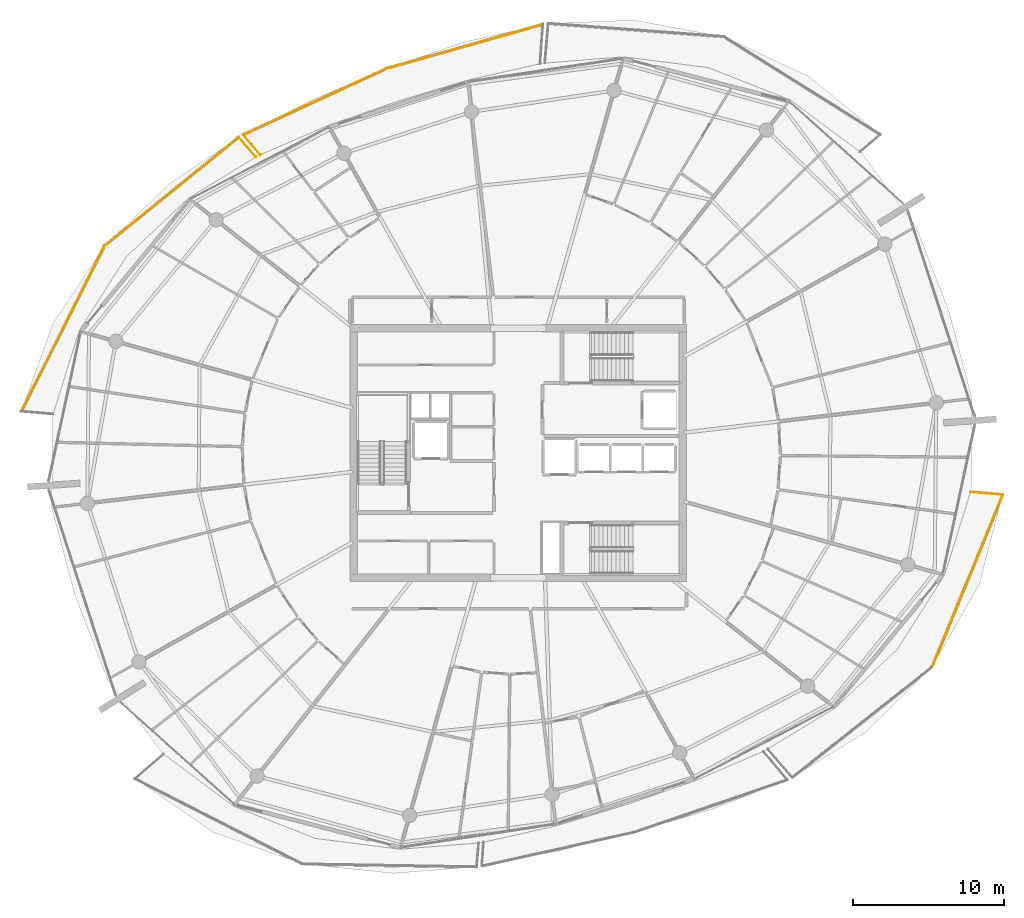
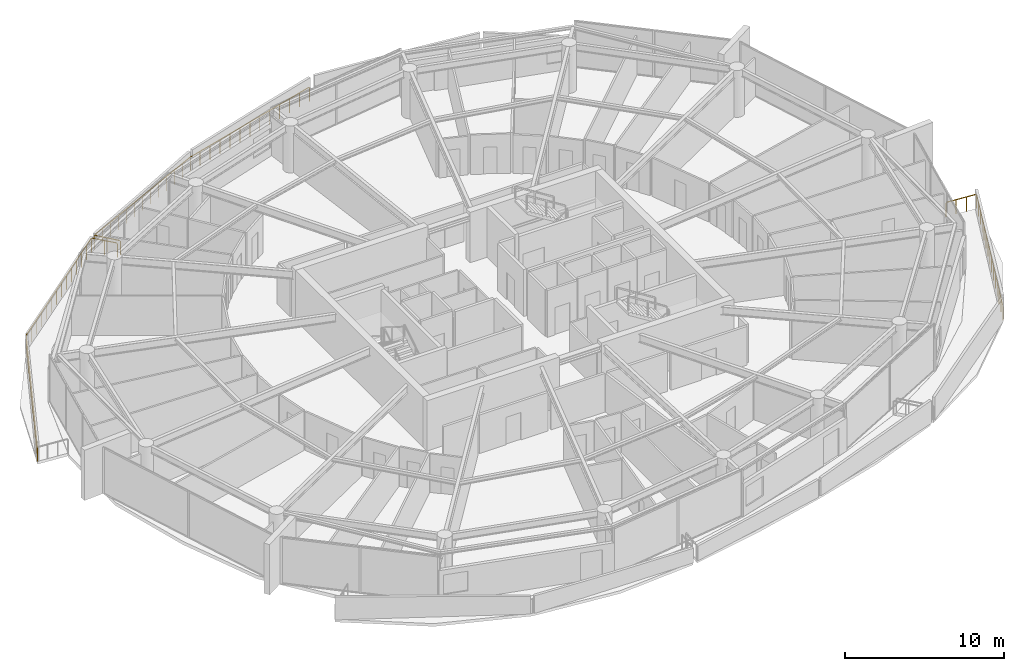
# One storey, part 27 of 29: 8 railings.
"""IFC4 building model written with IfcOpenShell, lengths in metres."""

from ifc_helpers import new_model, si_unit, direction, frame, origin, origin_2d, place, context, subcontext, project, spatial, rectangle, extrude, material, type_object, element, save


model = new_model("IFC4")

# Units and contexts
model_context = context("Model", 3, precision=1e-05, world=origin(), true_north=direction((0.0, 1.0)))
body_context = subcontext(model_context, "Body", "Model", "MODEL_VIEW")
ifc_project = project(units=[si_unit("LENGTHUNIT", "METRE"), si_unit("AREAUNIT", "SQUARE_METRE"), si_unit("VOLUMEUNIT", "CUBIC_METRE"), si_unit("PLANEANGLEUNIT", "RADIAN"), si_unit("MASSUNIT", "GRAM", prefix="KILO")], contexts=[model_context])

# Site, building, storey
site_placement = place(None, origin())
site = spatial("IfcSite", under=ifc_project, at=site_placement, CompositionType="ELEMENT")
building_placement = place(site_placement, origin())
building = spatial("IfcBuilding", under=site, at=building_placement, Name="Kazma Halo Residences", CompositionType="ELEMENT")
storey_placement = place(building_placement, frame((0.0, 0.0, 282.89990234375)))
storey = spatial("IfcBuildingStorey", under=building, at=storey_placement, Name="L71", CompositionType="ELEMENT", Elevation=282.89990234375)

# Railings
ifc_material = material(Name="Aluminium AW-6063 T6 Brushed Cap Rail", Category="aluminium")
railing_type = type_object("IfcRailingType", Name="RLG-BAL-CAP-1120", PredefinedType="BALUSTRADE", material=ifc_material)
railing_1_placement = place(storey_placement, frame((50.05810546875, 70.364501953125, 0.0)))
element("IfcRailing", 1, at=railing_1_placement, inside=storey, type_object=railing_type, Name="L71 NNW wave balcony guard 2", PredefinedType="BALUSTRADE", context=body_context, shape_type="SweptSolid", body=[
    extrude(rectangle(XDim=0.050048828125, YDim=0.050048828125, at=origin_2d()), frame((-0.041015625, -0.011474609375, 1.09521484375), z_axis=(-0.962459277596, -0.271426120647, 0.0), x_axis=(0.271426120647, -0.962459277596, 0.0)), (0.0, 0.0, 1.0), 10.645751953125),
    extrude(rectangle(XDim=0.0400390625, YDim=0.0400390625, at=origin_2d()), origin(), (0.0, 0.0, 1.0), 1.05810546875),
    extrude(rectangle(XDim=0.0400390625, YDim=0.0400390625, at=origin_2d()), frame((-0.860595703125, -0.24267578125, 0.0)), (0.0, 0.0, 1.0), 1.05810546875),
    extrude(rectangle(XDim=0.0400390625, YDim=0.0400390625, at=origin_2d()), frame((-1.72119140625, -0.4853515625, 0.0)), (0.0, 0.0, 1.0), 1.05810546875),
    extrude(rectangle(XDim=0.0400390625, YDim=0.0400390625, at=origin_2d()), frame((-2.58203125, -0.72802734375, 0.0)), (0.0, 0.0, 1.0), 1.05810546875),
    extrude(rectangle(XDim=0.0400390625, YDim=0.0400390625, at=origin_2d()), frame((-3.442626953125, -0.970947265625, 0.0)), (0.0, 0.0, 1.0), 1.05810546875),
    extrude(rectangle(XDim=0.0400390625, YDim=0.0400390625, at=origin_2d()), frame((-4.30322265625, -1.213623046875, 0.0)), (0.0, 0.0, 1.0), 1.05810546875),
    extrude(rectangle(XDim=0.0400390625, YDim=0.0400390625, at=origin_2d()), frame((-5.1640625, -1.456298828125, 0.0)), (0.0, 0.0, 1.0), 1.05810546875),
    extrude(rectangle(XDim=0.0400390625, YDim=0.0400390625, at=origin_2d()), frame((-6.024658203125, -1.698974609375, 0.0)), (0.0, 0.0, 1.0), 1.05810546875),
    extrude(rectangle(XDim=0.0400390625, YDim=0.0400390625, at=origin_2d()), frame((-6.88525390625, -1.941650390625, 0.0)), (0.0, 0.0, 1.0), 1.05810546875),
    extrude(rectangle(XDim=0.0400390625, YDim=0.0400390625, at=origin_2d()), frame((-7.745849609375, -2.1845703125, 0.0)), (0.0, 0.0, 1.0), 1.05810546875),
    extrude(rectangle(XDim=0.0400390625, YDim=0.0400390625, at=origin_2d()), frame((-8.6064453125, -2.42724609375, 0.0)), (0.0, 0.0, 1.0), 1.05810546875),
    extrude(rectangle(XDim=0.0400390625, YDim=0.0400390625, at=origin_2d()), frame((-9.46728515625, -2.669921875, 0.0)), (0.0, 0.0, 1.0), 1.05810546875),
    extrude(rectangle(XDim=0.0400390625, YDim=0.0400390625, at=origin_2d()), frame((-10.327880859375, -2.91259765625, 0.0)), (0.0, 0.0, 1.0), 1.05810546875),
])
railing_2_placement = place(storey_placement, frame((39.730224609375, 67.451904296875, 0.0)))
element("IfcRailing", 2, at=railing_2_placement, inside=storey, type_object=railing_type, Name="L71 NNW wave balcony guard 3", PredefinedType="BALUSTRADE", context=body_context, shape_type="SweptSolid", body=[
    extrude(rectangle(XDim=0.050048828125, YDim=0.050048828125, at=origin_2d()), frame((-0.03857421875, -0.017822265625, 1.09521484375), z_axis=(-0.907848041768, -0.419299335867, 0.0), x_axis=(0.419299335867, -0.907848041768, 0.0)), (0.0, 0.0, 1.0), 10.378662109375),
    extrude(rectangle(XDim=0.0400390625, YDim=0.0400390625, at=origin_2d()), origin(), (0.0, 0.0, 1.0), 1.05810546875),
    extrude(rectangle(XDim=0.0400390625, YDim=0.0400390625, at=origin_2d()), frame((-0.79150390625, -0.36572265625, 0.0)), (0.0, 0.0, 1.0), 1.05810546875),
    extrude(rectangle(XDim=0.0400390625, YDim=0.0400390625, at=origin_2d()), frame((-1.583251953125, -0.731201171875, 0.0)), (0.0, 0.0, 1.0), 1.05810546875),
    extrude(rectangle(XDim=0.0400390625, YDim=0.0400390625, at=origin_2d()), frame((-2.375, -1.096923828125, 0.0)), (0.0, 0.0, 1.0), 1.05810546875),
    extrude(rectangle(XDim=0.0400390625, YDim=0.0400390625, at=origin_2d()), frame((-3.16650390625, -1.46240234375, 0.0)), (0.0, 0.0, 1.0), 1.05810546875),
    extrude(rectangle(XDim=0.0400390625, YDim=0.0400390625, at=origin_2d()), frame((-3.9580078125, -1.828125, 0.0)), (0.0, 0.0, 1.0), 1.05810546875),
    extrude(rectangle(XDim=0.0400390625, YDim=0.0400390625, at=origin_2d()), frame((-4.749755859375, -2.19384765625, 0.0)), (0.0, 0.0, 1.0), 1.05810546875),
    extrude(rectangle(XDim=0.0400390625, YDim=0.0400390625, at=origin_2d()), frame((-5.54150390625, -2.559326171875, 0.0)), (0.0, 0.0, 1.0), 1.05810546875),
    extrude(rectangle(XDim=0.0400390625, YDim=0.0400390625, at=origin_2d()), frame((-6.3330078125, -2.925048828125, 0.0)), (0.0, 0.0, 1.0), 1.05810546875),
    extrude(rectangle(XDim=0.0400390625, YDim=0.0400390625, at=origin_2d()), frame((-7.12451171875, -3.29052734375, 0.0)), (0.0, 0.0, 1.0), 1.05810546875),
    extrude(rectangle(XDim=0.0400390625, YDim=0.0400390625, at=origin_2d()), frame((-7.916259765625, -3.65625, 0.0)), (0.0, 0.0, 1.0), 1.05810546875),
    extrude(rectangle(XDim=0.0400390625, YDim=0.0400390625, at=origin_2d()), frame((-8.7080078125, -4.021728515625, 0.0)), (0.0, 0.0, 1.0), 1.05810546875),
    extrude(rectangle(XDim=0.0400390625, YDim=0.0400390625, at=origin_2d()), frame((-9.49951171875, -4.387451171875, 0.0)), (0.0, 0.0, 1.0), 1.05810546875),
])
railing_3_placement = place(storey_placement, frame((30.230712890625, 63.064453125, 0.0)))
element("IfcRailing", 3, at=railing_3_placement, inside=storey, type_object=railing_type, Name="L71 NNW wave balcony guard 4", PredefinedType="BALUSTRADE", context=body_context, shape_type="SweptSolid", body=[
    extrude(rectangle(XDim=0.050048828125, YDim=0.050048828125, at=origin_2d()), frame((0.02734375, -0.032470703125, 1.09521484375), z_axis=(0.644812173363, -0.764341063324, 0.0), x_axis=(0.764341063324, 0.644812173363, 0.0)), (0.0, 0.0, 1.0), 1.6591796875),
    extrude(rectangle(XDim=0.0400390625, YDim=0.0400390625, at=origin_2d()), origin(), (0.0, 0.0, 1.0), 1.05810546875),
    extrude(rectangle(XDim=0.0400390625, YDim=0.0400390625, at=origin_2d()), frame((0.5625, -0.66650390625, 0.0)), (0.0, 0.0, 1.0), 1.05810546875),
    extrude(rectangle(XDim=0.0400390625, YDim=0.0400390625, at=origin_2d()), frame((1.124755859375, -1.333251953125, 0.0)), (0.0, 0.0, 1.0), 1.05810546875),
])
railing_4_placement = place(storey_placement, frame((31.06787109375, 61.58154296875, 0.0)))
element("IfcRailing", 4, at=railing_4_placement, inside=storey, type_object=railing_type, Name="L71 NW wave balcony guard 1", PredefinedType="BALUSTRADE", context=body_context, shape_type="SweptSolid", body=[
    extrude(rectangle(XDim=0.050048828125, YDim=0.050048828125, at=origin_2d()), frame((-0.02783203125, 0.0322265625, 1.09521484375), z_axis=(-0.654051886651, 0.7564496874, 0.0), x_axis=(-0.7564496874, -0.654051886651, 0.0)), (0.0, 0.0, 1.0), 1.650634765625),
    extrude(rectangle(XDim=0.0400390625, YDim=0.0400390625, at=origin_2d()), origin(), (0.0, 0.0, 1.0), 1.05810546875),
    extrude(rectangle(XDim=0.0400390625, YDim=0.0400390625, at=origin_2d()), frame((-0.567626953125, 0.656494140625, 0.0)), (0.0, 0.0, 1.0), 1.05810546875),
    extrude(rectangle(XDim=0.0400390625, YDim=0.0400390625, at=origin_2d()), frame((-1.13525390625, 1.31298828125, 0.0)), (0.0, 0.0, 1.0), 1.05810546875),
])
railing_5_placement = place(storey_placement, frame((29.9326171875, 62.89453125, 0.0)))
element("IfcRailing", 5, at=railing_5_placement, inside=storey, type_object=railing_type, Name="L71 NW wave balcony guard 2", PredefinedType="BALUSTRADE", context=body_context, shape_type="SweptSolid", body=[
    extrude(rectangle(XDim=0.050048828125, YDim=0.050048828125, at=origin_2d()), frame((-0.033203125, -0.02685546875, 1.09521484375), z_axis=(-0.777696828028, -0.628639518067, 0.0), x_axis=(0.628639518067, -0.777696828028, 0.0)), (0.0, 0.0, 1.0), 11.319580078125),
    extrude(rectangle(XDim=0.0400390625, YDim=0.0400390625, at=origin_2d()), origin(), (0.0, 0.0, 1.0), 1.05810546875),
    extrude(rectangle(XDim=0.0400390625, YDim=0.0400390625, at=origin_2d()), frame((-0.682373046875, -0.551513671875, 0.0)), (0.0, 0.0, 1.0), 1.05810546875),
    extrude(rectangle(XDim=0.0400390625, YDim=0.0400390625, at=origin_2d()), frame((-1.364501953125, -1.10302734375, 0.0)), (0.0, 0.0, 1.0), 1.05810546875),
    extrude(rectangle(XDim=0.0400390625, YDim=0.0400390625, at=origin_2d()), frame((-2.046875, -1.654541015625, 0.0)), (0.0, 0.0, 1.0), 1.05810546875),
    extrude(rectangle(XDim=0.0400390625, YDim=0.0400390625, at=origin_2d()), frame((-2.72900390625, -2.2060546875, 0.0)), (0.0, 0.0, 1.0), 1.05810546875),
    extrude(rectangle(XDim=0.0400390625, YDim=0.0400390625, at=origin_2d()), frame((-3.411376953125, -2.757568359375, 0.0)), (0.0, 0.0, 1.0), 1.05810546875),
    extrude(rectangle(XDim=0.0400390625, YDim=0.0400390625, at=origin_2d()), frame((-4.093505859375, -3.30908203125, 0.0)), (0.0, 0.0, 1.0), 1.05810546875),
    extrude(rectangle(XDim=0.0400390625, YDim=0.0400390625, at=origin_2d()), frame((-4.77587890625, -3.8603515625, 0.0)), (0.0, 0.0, 1.0), 1.05810546875),
    extrude(rectangle(XDim=0.0400390625, YDim=0.0400390625, at=origin_2d()), frame((-5.4580078125, -4.411865234375, 0.0)), (0.0, 0.0, 1.0), 1.05810546875),
    extrude(rectangle(XDim=0.0400390625, YDim=0.0400390625, at=origin_2d()), frame((-6.140380859375, -4.96337890625, 0.0)), (0.0, 0.0, 1.0), 1.05810546875),
    extrude(rectangle(XDim=0.0400390625, YDim=0.0400390625, at=origin_2d()), frame((-6.822509765625, -5.514892578125, 0.0)), (0.0, 0.0, 1.0), 1.05810546875),
    extrude(rectangle(XDim=0.0400390625, YDim=0.0400390625, at=origin_2d()), frame((-7.5048828125, -6.06640625, 0.0)), (0.0, 0.0, 1.0), 1.05810546875),
    extrude(rectangle(XDim=0.0400390625, YDim=0.0400390625, at=origin_2d()), frame((-8.18701171875, -6.617919921875, 0.0)), (0.0, 0.0, 1.0), 1.05810546875),
    extrude(rectangle(XDim=0.0400390625, YDim=0.0400390625, at=origin_2d()), frame((-8.869384765625, -7.16943359375, 0.0)), (0.0, 0.0, 1.0), 1.05810546875),
])
railing_6_placement = place(storey_placement, frame((21.063232421875, 55.72509765625, 0.0)))
element("IfcRailing", 6, at=railing_6_placement, inside=storey, type_object=railing_type, Name="L71 NW wave balcony guard 3", PredefinedType="BALUSTRADE", context=body_context, shape_type="SweptSolid", body=[
    extrude(rectangle(XDim=0.050048828125, YDim=0.050048828125, at=origin_2d()), frame((-0.01904296875, -0.0380859375, 1.09521484375), z_axis=(-0.449279975195, -0.893391013996, 0.0), x_axis=(0.893391013996, -0.449279975195, 0.0)), (0.0, 0.0, 1.0), 12.1953125),
    extrude(rectangle(XDim=0.0400390625, YDim=0.0400390625, at=origin_2d()), origin(), (0.0, 0.0, 1.0), 1.05810546875),
    extrude(rectangle(XDim=0.0400390625, YDim=0.0400390625, at=origin_2d()), frame((-0.39404296875, -0.78369140625, 0.0)), (0.0, 0.0, 1.0), 1.05810546875),
    extrude(rectangle(XDim=0.0400390625, YDim=0.0400390625, at=origin_2d()), frame((-0.7880859375, -1.5673828125, 0.0)), (0.0, 0.0, 1.0), 1.05810546875),
    extrude(rectangle(XDim=0.0400390625, YDim=0.0400390625, at=origin_2d()), frame((-1.182373046875, -2.35107421875, 0.0)), (0.0, 0.0, 1.0), 1.05810546875),
    extrude(rectangle(XDim=0.0400390625, YDim=0.0400390625, at=origin_2d()), frame((-1.576416015625, -3.134521484375, 0.0)), (0.0, 0.0, 1.0), 1.05810546875),
    extrude(rectangle(XDim=0.0400390625, YDim=0.0400390625, at=origin_2d()), frame((-1.970458984375, -3.918212890625, 0.0)), (0.0, 0.0, 1.0), 1.05810546875),
    extrude(rectangle(XDim=0.0400390625, YDim=0.0400390625, at=origin_2d()), frame((-2.364501953125, -4.701904296875, 0.0)), (0.0, 0.0, 1.0), 1.05810546875),
    extrude(rectangle(XDim=0.0400390625, YDim=0.0400390625, at=origin_2d()), frame((-2.7587890625, -5.485595703125, 0.0)), (0.0, 0.0, 1.0), 1.05810546875),
    extrude(rectangle(XDim=0.0400390625, YDim=0.0400390625, at=origin_2d()), frame((-3.15283203125, -6.269287109375, 0.0)), (0.0, 0.0, 1.0), 1.05810546875),
    extrude(rectangle(XDim=0.0400390625, YDim=0.0400390625, at=origin_2d()), frame((-3.546875, -7.052978515625, 0.0)), (0.0, 0.0, 1.0), 1.05810546875),
    extrude(rectangle(XDim=0.0400390625, YDim=0.0400390625, at=origin_2d()), frame((-3.94091796875, -7.836669921875, 0.0)), (0.0, 0.0, 1.0), 1.05810546875),
    extrude(rectangle(XDim=0.0400390625, YDim=0.0400390625, at=origin_2d()), frame((-4.3349609375, -8.6201171875, 0.0)), (0.0, 0.0, 1.0), 1.05810546875),
    extrude(rectangle(XDim=0.0400390625, YDim=0.0400390625, at=origin_2d()), frame((-4.729248046875, -9.40380859375, 0.0)), (0.0, 0.0, 1.0), 1.05810546875),
    extrude(rectangle(XDim=0.0400390625, YDim=0.0400390625, at=origin_2d()), frame((-5.123291015625, -10.1875, 0.0)), (0.0, 0.0, 1.0), 1.05810546875),
    extrude(rectangle(XDim=0.0400390625, YDim=0.0400390625, at=origin_2d()), frame((-5.517333984375, -10.97119140625, 0.0)), (0.0, 0.0, 1.0), 1.05810546875),
])
railing_7_placement = place(storey_placement, frame((75.79296875, 27.8388671875, 0.0)))
element("IfcRailing", 7, at=railing_7_placement, inside=storey, type_object=railing_type, Name="L71 SE wave balcony guard 3", PredefinedType="BALUSTRADE", context=body_context, shape_type="SweptSolid", body=[
    extrude(rectangle(XDim=0.050048828125, YDim=0.050048828125, at=origin_2d()), frame((0.01611328125, 0.039306640625, 1.09521484375), z_axis=(0.379601121208, 0.925150252001, 0.0), x_axis=(-0.925150252001, 0.379601121208, 0.0)), (0.0, 0.0, 1.0), 12.243408203125),
    extrude(rectangle(XDim=0.0400390625, YDim=0.0400390625, at=origin_2d()), origin(), (0.0, 0.0, 1.0), 1.05810546875),
    extrude(rectangle(XDim=0.0400390625, YDim=0.0400390625, at=origin_2d()), frame((0.334228515625, 0.814697265625, 0.0)), (0.0, 0.0, 1.0), 1.05810546875),
    extrude(rectangle(XDim=0.0400390625, YDim=0.0400390625, at=origin_2d()), frame((0.66845703125, 1.62939453125, 0.0)), (0.0, 0.0, 1.0), 1.05810546875),
    extrude(rectangle(XDim=0.0400390625, YDim=0.0400390625, at=origin_2d()), frame((1.0029296875, 2.444091796875, 0.0)), (0.0, 0.0, 1.0), 1.05810546875),
    extrude(rectangle(XDim=0.0400390625, YDim=0.0400390625, at=origin_2d()), frame((1.337158203125, 3.2587890625, 0.0)), (0.0, 0.0, 1.0), 1.05810546875),
    extrude(rectangle(XDim=0.0400390625, YDim=0.0400390625, at=origin_2d()), frame((1.67138671875, 4.073486328125, 0.0)), (0.0, 0.0, 1.0), 1.05810546875),
    extrude(rectangle(XDim=0.0400390625, YDim=0.0400390625, at=origin_2d()), frame((2.005615234375, 4.88818359375, 0.0)), (0.0, 0.0, 1.0), 1.05810546875),
    extrude(rectangle(XDim=0.0400390625, YDim=0.0400390625, at=origin_2d()), frame((2.33984375, 5.702880859375, 0.0)), (0.0, 0.0, 1.0), 1.05810546875),
    extrude(rectangle(XDim=0.0400390625, YDim=0.0400390625, at=origin_2d()), frame((2.67431640625, 6.517578125, 0.0)), (0.0, 0.0, 1.0), 1.05810546875),
    extrude(rectangle(XDim=0.0400390625, YDim=0.0400390625, at=origin_2d()), frame((3.008544921875, 7.332275390625, 0.0)), (0.0, 0.0, 1.0), 1.05810546875),
    extrude(rectangle(XDim=0.0400390625, YDim=0.0400390625, at=origin_2d()), frame((3.3427734375, 8.14697265625, 0.0)), (0.0, 0.0, 1.0), 1.05810546875),
    extrude(rectangle(XDim=0.0400390625, YDim=0.0400390625, at=origin_2d()), frame((3.677001953125, 8.961669921875, 0.0)), (0.0, 0.0, 1.0), 1.05810546875),
    extrude(rectangle(XDim=0.0400390625, YDim=0.0400390625, at=origin_2d()), frame((4.011474609375, 9.7763671875, 0.0)), (0.0, 0.0, 1.0), 1.05810546875),
    extrude(rectangle(XDim=0.0400390625, YDim=0.0400390625, at=origin_2d()), frame((4.345703125, 10.591064453125, 0.0)), (0.0, 0.0, 1.0), 1.05810546875),
    extrude(rectangle(XDim=0.0400390625, YDim=0.0400390625, at=origin_2d()), frame((4.679931640625, 11.40576171875, 0.0)), (0.0, 0.0, 1.0), 1.05810546875),
])
railing_8_placement = place(storey_placement, frame((80.472900390625, 39.24462890625, 0.0)))
element("IfcRailing", 8, at=railing_8_placement, inside=storey, type_object=railing_type, Name="L71 SE wave balcony guard 4", PredefinedType="BALUSTRADE", context=body_context, shape_type="SweptSolid", body=[
    extrude(rectangle(XDim=0.050048828125, YDim=0.050048828125, at=origin_2d()), frame((-0.04248046875, 0.003662109375, 1.09521484375), z_axis=(-0.99641734676, 0.084572283141, 0.0), x_axis=(-0.084572283141, -0.99641734676, 0.0)), (0.0, 0.0, 1.0), 2.04541015625),
    extrude(rectangle(XDim=0.0400390625, YDim=0.0400390625, at=origin_2d()), origin(), (0.0, 0.0, 1.0), 1.05810546875),
    extrude(rectangle(XDim=0.0400390625, YDim=0.0400390625, at=origin_2d()), frame((-0.70751953125, 0.06005859375, 0.0)), (0.0, 0.0, 1.0), 1.05810546875),
    extrude(rectangle(XDim=0.0400390625, YDim=0.0400390625, at=origin_2d()), frame((-1.415283203125, 0.1201171875, 0.0)), (0.0, 0.0, 1.0), 1.05810546875),
    extrude(rectangle(XDim=0.0400390625, YDim=0.0400390625, at=origin_2d()), frame((-2.122802734375, 0.18017578125, 0.0)), (0.0, 0.0, 1.0), 1.05810546875),
])

save(model, "model.ifc")
